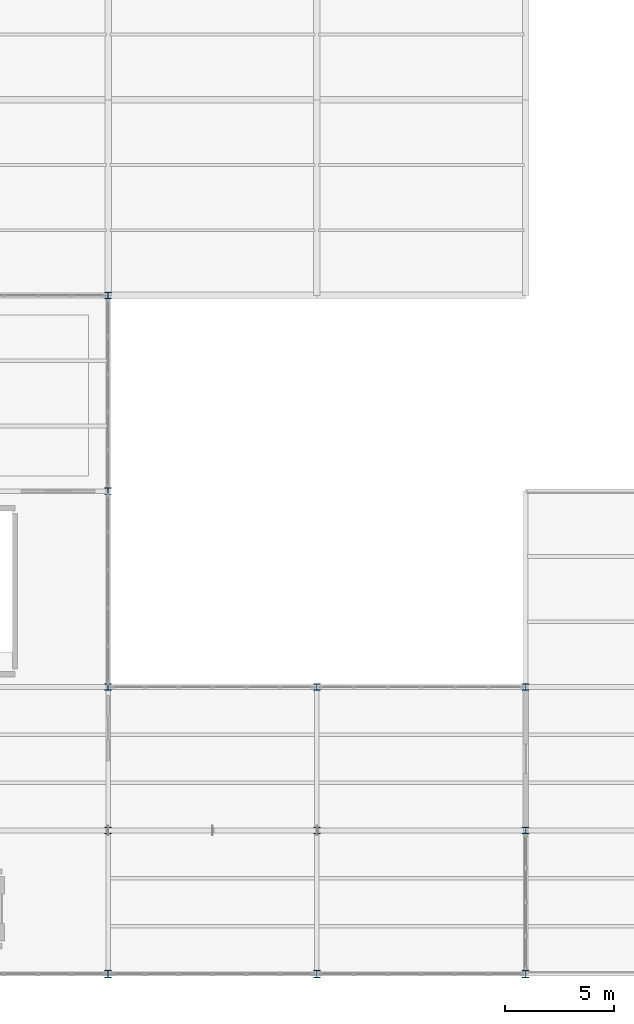
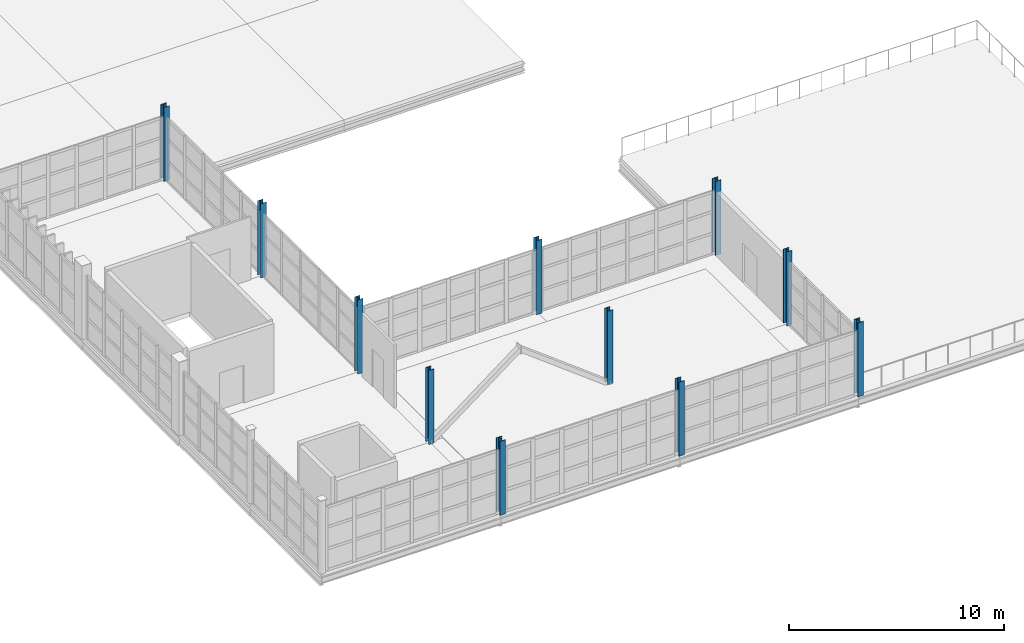
# One storey, part 11 of 82: 11 columns.
"""IFC4 building model written with IfcOpenShell, lengths in metres."""

from ifc_helpers import new_model, si_unit, direction, frame, origin, origin_2d, place, context, subcontext, project, spatial, i_section, extrude, material, material_profile, profile_set, type_object, element, save


model = new_model("IFC4")

# Units and contexts
model_context = context("Model", 3, precision=1e-05, world=origin(), true_north=direction((0.0, 1.0)))
body_context = subcontext(model_context, "Body", "Model", "MODEL_VIEW")
ifc_project = project(units=[si_unit("LENGTHUNIT", "METRE"), si_unit("AREAUNIT", "SQUARE_METRE"), si_unit("VOLUMEUNIT", "CUBIC_METRE"), si_unit("PLANEANGLEUNIT", "RADIAN"), si_unit("MASSUNIT", "GRAM", prefix="KILO")], contexts=[model_context])

# Site, building, storey
site_placement = place(None, origin())
site = spatial("IfcSite", under=ifc_project, at=site_placement, CompositionType="ELEMENT")
building_placement = place(site_placement, origin())
building = spatial("IfcBuilding", under=site, at=building_placement, Name="Zarnetskaya Central Station", CompositionType="ELEMENT")
storey_placement = place(building_placement, frame((0.0, 0.0, 10.199951171875)))
storey = spatial("IfcBuildingStorey", under=building, at=storey_placement, Name="L02", CompositionType="ELEMENT", Elevation=10.199951171875)

# Columns
ifc_material = material(Name="Steel S355", Category="steel")
ifc_material_profile_1 = material_profile(ifc_material, i_section(OverallWidth=0.300048828125, OverallDepth=0.360107421875, WebThickness=0.012451171875, FlangeThickness=0.0224609375, FilletRadius=0.027099609375, at=origin_2d()), Name="HEB 360")
ifc_profile_set_1 = profile_set([ifc_material_profile_1], Name="Steel S355")
column_type_1 = type_object("IfcColumnType", Name="COL-V4-EXT", PredefinedType="COLUMN", material=ifc_profile_set_1)
for number, where, z_axis, x_axis, name in (
    (1, (134.39990234375, 0.0, 0.0), (0.0, 0.0, 1.0), (1.0, 0.0, 0.0), "Column Q1 L02"),
    (2, (144.0, 0.0, 0.0), (0.0, 0.0, 1.0), (1.0, 0.0, 0.0), "Column R1 L02"),
    (3, (153.60009765625, 0.0, 0.0), (0.0, 0.0, 1.0), (1.0, 0.0, 0.0), "Column S1 L02"),
):
    element("IfcColumn", number, at=place(storey_placement, frame(where, z_axis=z_axis, x_axis=x_axis)), inside=storey, type_object=column_type_1, Name=name, PredefinedType="COLUMN", context=body_context, shape_type="SweptSolid", body=[
        extrude(i_section(OverallWidth=0.300048828125, OverallDepth=0.360107421875, WebThickness=0.012451171875, FlangeThickness=0.0224609375, FilletRadius=0.027099609375, at=origin_2d()), origin(), (0.0, 0.0, 1.0), 4.199951171875),
    ])
ifc_material_profile_2 = material_profile(ifc_material, i_section(OverallWidth=0.300048828125, OverallDepth=0.300048828125, WebThickness=0.010986328125, FlangeThickness=0.01904296875, FilletRadius=0.027099609375, at=origin_2d()), Name="HEB 300")
ifc_profile_set_2 = profile_set([ifc_material_profile_2], Name="Steel S355")
column_type_2 = type_object("IfcColumnType", Name="COL-V4-INT", PredefinedType="COLUMN", material=ifc_profile_set_2)
for number, where, z_axis, x_axis, name in (
    (4, (134.39990234375, 6.60009765625, 0.0), (0.0, 0.0, 1.0), (1.0, 0.0, 0.0), "Column Q2 L02"),
    (5, (134.39990234375, 13.199951171875, 0.0), (0.0, 0.0, 1.0), (1.0, 0.0, 0.0), "Column Q3 L02"),
    (6, (134.39990234375, 22.199951171875, 0.0), (0.0, 0.0, 1.0), (1.0, 0.0, 0.0), "Column Q4 L02"),
    (7, (134.39990234375, 31.199951171875, 0.0), (0.0, 0.0, 1.0), (1.0, 0.0, 0.0), "Column Q5 L02"),
    (8, (144.0, 6.60009765625, 0.0), (0.0, 0.0, 1.0), (1.0, 0.0, 0.0), "Column R2 L02"),
    (9, (144.0, 13.199951171875, 0.0), (0.0, 0.0, 1.0), (1.0, 0.0, 0.0), "Column R3 L02"),
    (10, (153.60009765625, 6.60009765625, 0.0), (0.0, 0.0, 1.0), (1.0, 0.0, 0.0), "Column S2 L02"),
    (11, (153.60009765625, 13.199951171875, 0.0), (0.0, 0.0, 1.0), (1.0, 0.0, 0.0), "Column S3 L02"),
):
    element("IfcColumn", number, at=place(storey_placement, frame(where, z_axis=z_axis, x_axis=x_axis)), inside=storey, type_object=column_type_2, Name=name, PredefinedType="COLUMN", context=body_context, shape_type="SweptSolid", body=[
        extrude(i_section(OverallWidth=0.300048828125, OverallDepth=0.300048828125, WebThickness=0.010986328125, FlangeThickness=0.01904296875, FilletRadius=0.027099609375, at=origin_2d()), origin(), (0.0, 0.0, 1.0), 4.199951171875),
    ])

save(model, "model.ifc")
